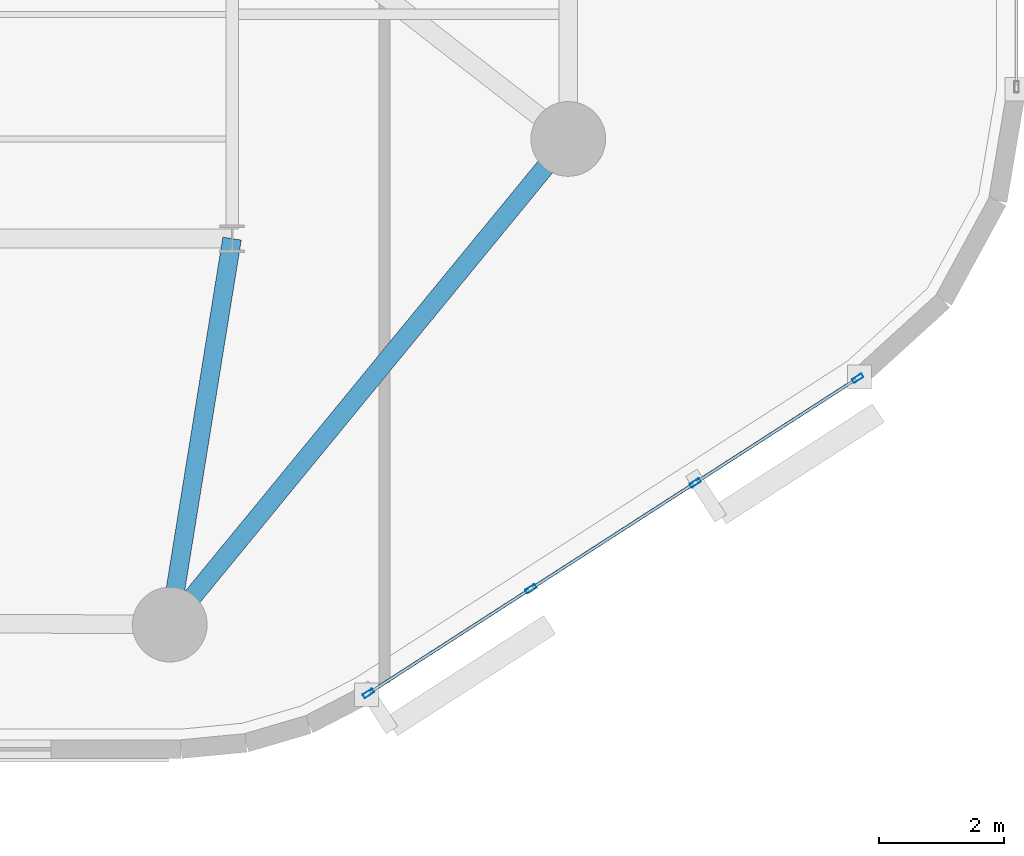
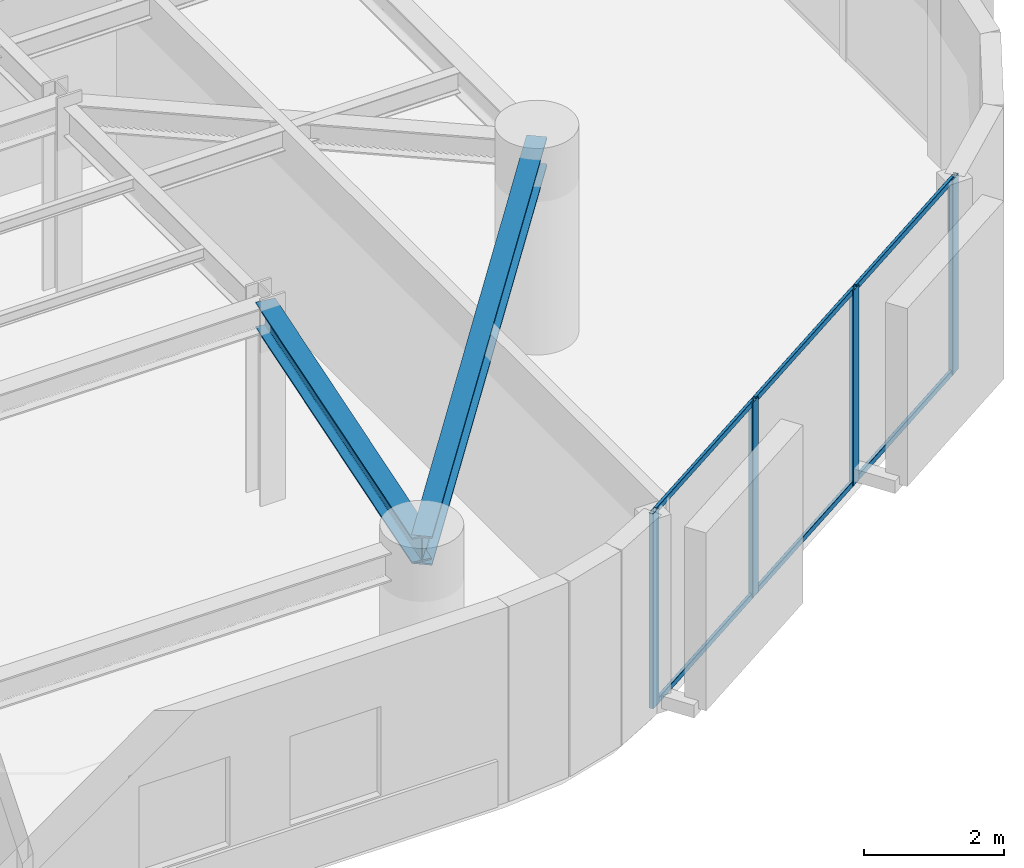
# One storey, part 2 of 14: 10 members, 2 beams, 1 element without a shape of its own.
"""IFC4 building model written with IfcOpenShell, lengths in metres."""

from ifc_helpers import new_model, si_unit, direction, frame, origin, origin_2d, place, context, subcontext, project, spatial, hollow_rectangle, i_section, extrude, material, layer, layer_set, material_profile, profile_set, type_object, element, aggregate, save


model = new_model("IFC4")

# Units and contexts
model_context = context("Model", 3, precision=1e-05, world=origin(), true_north=direction((0.0, 1.0)))
body_context = subcontext(model_context, "Body", "Model", "MODEL_VIEW")
ifc_project = project(units=[si_unit("LENGTHUNIT", "METRE"), si_unit("AREAUNIT", "SQUARE_METRE"), si_unit("VOLUMEUNIT", "CUBIC_METRE"), si_unit("PLANEANGLEUNIT", "RADIAN"), si_unit("MASSUNIT", "GRAM", prefix="KILO")], contexts=[model_context])

# Site, building, storey
site_placement = place(None, origin())
site = spatial("IfcSite", under=ifc_project, at=site_placement, CompositionType="ELEMENT")
building_placement = place(site_placement, origin())
building = spatial("IfcBuilding", under=site, at=building_placement, Name="An Khanh Terracotta Commons", CompositionType="ELEMENT")
storey_placement = place(building_placement, frame((0.0, 0.0, 158.199951171875)))
storey = spatial("IfcBuildingStorey", under=building, at=storey_placement, Name="L41", CompositionType="ELEMENT", Elevation=158.199951171875)

# Beams
ifc_material_1 = material(Name="Steel S355J2", Category="steel")
ifc_material_profile_1 = material_profile(ifc_material_1, i_section(OverallWidth=0.300048828125, OverallDepth=0.449951171875, WebThickness=0.013916015625, FlangeThickness=0.02587890625, FilletRadius=0.027099609375, at=origin_2d()), Name="HEB450")
ifc_profile_set_1 = profile_set([ifc_material_profile_1], Name="Steel S355J2")
beam_type_1 = type_object("IfcBeamType", Name="BM-HEB450", PredefinedType="BEAM", material=ifc_profile_set_1)
beam_1_placement = place(storey_placement, frame((49.39990234375, 8.199951171875, 3.175048828125), z_axis=(0.159233661074, 0.987240923575, 0.0), x_axis=(-0.987240923575, 0.159233661074, 0.0)))
element("IfcBeam", 1, at=beam_1_placement, inside=storey, type_object=beam_type_1, Name="L41 Mega-Column Tie Girder 2", PredefinedType="BEAM", context=body_context, shape_type="SweptSolid", body=[
    extrude(i_section(OverallWidth=0.300048828125, OverallDepth=0.449951171875, WebThickness=0.013916015625, FlangeThickness=0.02587890625, FilletRadius=0.027099609375, at=origin_2d()), origin(), (0.0, 0.0, 1.0), 6.280029296875),
])
ifc_material_profile_2 = material_profile(ifc_material_1, i_section(OverallWidth=0.300048828125, OverallDepth=0.5, WebThickness=0.014404296875, FlangeThickness=0.028076171875, FilletRadius=0.027099609375, at=origin_2d()), Name="HEB500")
ifc_profile_set_2 = profile_set([ifc_material_profile_2], Name="Steel S355J2")
beam_type_2 = type_object("IfcBeamType", Name="BM-HEB500", PredefinedType="BEAM", material=ifc_profile_set_2)
beam_2_placement = place(storey_placement, frame((49.39990234375, 8.199951171875, 3.150146484375), z_axis=(0.634322915223, 0.7730681983, 0.0), x_axis=(-0.7730681983, 0.634322915223, 0.0)))
element("IfcBeam", 2, at=beam_2_placement, inside=storey, type_object=beam_type_2, Name="L41 Perimeter Ring Spandrel 2", PredefinedType="BEAM", context=body_context, shape_type="SweptSolid", body=[
    extrude(i_section(OverallWidth=0.300048828125, OverallDepth=0.5, WebThickness=0.014404296875, FlangeThickness=0.028076171875, FilletRadius=0.027099609375, at=origin_2d()), origin(), (0.0, 0.0, 1.0), 10.08984375),
])

# Curtain wall, members
ifc_material_2 = material(Name="Anodised Aluminium 6063-T6", Category="aluminium")
ifc_layer = layer(ifc_material_2, 0.2099609375, Name="Anodised Aluminium 6063-T6")
ifc_layer_set = layer_set([ifc_layer], Name="Anodised Aluminium 6063-T6")
curtain_wall_type = type_object("IfcCurtainWallType", Name="CW-SYS-03", PredefinedType="USERDEFINED", material=ifc_layer_set)
curtain_wall_placement = place(storey_placement, origin())
curtain_wall = element("IfcCurtainWall", 3, at=curtain_wall_placement, inside=storey, type_object=curtain_wall_type, Name="L41 CW-03 Unitised Curtain Wall CW-L41-08", ObjectType="UNITISED CURTAIN WALL", PredefinedType="USERDEFINED")
ifc_material_profile_3 = material_profile(ifc_material_2, hollow_rectangle(XDim=0.070068359375, YDim=0.179931640625, WallThickness=0.00390625, InnerFilletRadius=0.00390625, OuterFilletRadius=0.008056640625, at=origin_2d()), Name="RHS180x70x4")
ifc_profile_set_3 = profile_set([ifc_material_profile_3], Name="Anodised Aluminium 6063-T6")
member_type_1 = type_object("IfcMemberType", Name="CWM-RHS180x70x4", PredefinedType="MULLION", material=ifc_profile_set_3)
member_1_placement = place(storey_placement, frame((52.58935546875, 7.094970703125, 0.0), z_axis=(0.0, 0.0, 1.0), x_axis=(-0.541497931062, 0.840702081986, 0.0)))
member_1 = element("IfcMember", 4, at=member_1_placement, type_object=member_type_1, Name="CW-03 mullion 1", PredefinedType="MULLION", context=body_context, shape_type="SweptSolid", body=[
    extrude(hollow_rectangle(XDim=0.070068359375, YDim=0.179931640625, WallThickness=0.00390625, InnerFilletRadius=0.00390625, OuterFilletRadius=0.008056640625, at=origin_2d()), origin(), (0.0, 0.0, 1.0), 3.400146484375),
])
member_2_placement = place(storey_placement, frame((55.19921875, 8.77587890625, 0.0), z_axis=(0.0, 0.0, 1.0), x_axis=(-0.541497931062, 0.840702081986, 0.0)))
member_2 = element("IfcMember", 5, at=member_2_placement, type_object=member_type_1, Name="CW-03 mullion 2", PredefinedType="MULLION", context=body_context, shape_type="SweptSolid", body=[
    extrude(hollow_rectangle(XDim=0.070068359375, YDim=0.179931640625, WallThickness=0.00390625, InnerFilletRadius=0.00390625, OuterFilletRadius=0.008056640625, at=origin_2d()), origin(), (0.0, 0.0, 1.0), 3.400146484375),
])
member_3_placement = place(storey_placement, frame((57.838623046875, 10.47607421875, 0.0), z_axis=(0.0, 0.0, 1.0), x_axis=(-0.541497931062, 0.840702081986, 0.0)))
member_3 = element("IfcMember", 6, at=member_3_placement, type_object=member_type_1, Name="CW-03 mullion 3", PredefinedType="MULLION", context=body_context, shape_type="SweptSolid", body=[
    extrude(hollow_rectangle(XDim=0.070068359375, YDim=0.179931640625, WallThickness=0.00390625, InnerFilletRadius=0.00390625, OuterFilletRadius=0.008056640625, at=origin_2d()), origin(), (0.0, 0.0, 1.0), 3.400146484375),
])
member_4_placement = place(storey_placement, frame((60.448486328125, 12.156982421875, 0.0), z_axis=(0.0, 0.0, 1.0), x_axis=(-0.541497931062, 0.840702081986, 0.0)))
member_4 = element("IfcMember", 7, at=member_4_placement, type_object=member_type_1, Name="CW-03 mullion 4", PredefinedType="MULLION", context=body_context, shape_type="SweptSolid", body=[
    extrude(hollow_rectangle(XDim=0.070068359375, YDim=0.179931640625, WallThickness=0.00390625, InnerFilletRadius=0.00390625, OuterFilletRadius=0.008056640625, at=origin_2d()), origin(), (0.0, 0.0, 1.0), 3.400146484375),
])
ifc_material_profile_4 = material_profile(ifc_material_2, hollow_rectangle(XDim=0.050048828125, YDim=0.10009765625, WallThickness=0.003173828125, InnerFilletRadius=0.003173828125, OuterFilletRadius=0.00634765625, at=origin_2d()), Name="RHS100x50x3.2")
ifc_profile_set_4 = profile_set([ifc_material_profile_4], Name="Anodised Aluminium 6063-T6")
member_type_2 = type_object("IfcMemberType", Name="CWT-RHS100x50x3.2", PredefinedType="USERDEFINED", material=ifc_profile_set_4)
member_5_placement = place(storey_placement, frame((52.618896484375, 7.114013671875, 0.025146484375), z_axis=(0.840710223453, 0.541485290826, 0.0), x_axis=(-0.541485290826, 0.840710223453, 0.0)))
member_5 = element("IfcMember", 8, at=member_5_placement, type_object=member_type_2, Name="CW-03 transom 1.1", ObjectType="TRANSOM", PredefinedType="USERDEFINED", context=body_context, shape_type="SweptSolid", body=[
    extrude(hollow_rectangle(XDim=0.050048828125, YDim=0.10009765625, WallThickness=0.003173828125, InnerFilletRadius=0.003173828125, OuterFilletRadius=0.00634765625, at=origin_2d()), origin(), (0.0, 0.0, 1.0), 3.034423828125),
])
member_6_placement = place(storey_placement, frame((52.618896484375, 7.114013671875, 3.375), z_axis=(0.840710223453, 0.541485290826, 0.0), x_axis=(-0.541485290826, 0.840710223453, 0.0)))
member_6 = element("IfcMember", 9, at=member_6_placement, type_object=member_type_2, Name="CW-03 transom 1.2", ObjectType="TRANSOM", PredefinedType="USERDEFINED", context=body_context, shape_type="SweptSolid", body=[
    extrude(hollow_rectangle(XDim=0.050048828125, YDim=0.10009765625, WallThickness=0.003173828125, InnerFilletRadius=0.003173828125, OuterFilletRadius=0.00634765625, at=origin_2d()), origin(), (0.0, 0.0, 1.0), 3.034423828125),
])
member_7_placement = place(storey_placement, frame((55.228759765625, 8.794921875, 0.025146484375), z_axis=(0.840707825526, 0.54148901383, 0.0), x_axis=(-0.54148901383, 0.840707825526, 0.0)))
member_7 = element("IfcMember", 10, at=member_7_placement, type_object=member_type_2, Name="CW-03 transom 2.1", ObjectType="TRANSOM", PredefinedType="USERDEFINED", context=body_context, shape_type="SweptSolid", body=[
    extrude(hollow_rectangle(XDim=0.050048828125, YDim=0.10009765625, WallThickness=0.003173828125, InnerFilletRadius=0.003173828125, OuterFilletRadius=0.00634765625, at=origin_2d()), origin(), (0.0, 0.0, 1.0), 3.069580078125),
])
member_8_placement = place(storey_placement, frame((55.228759765625, 8.794921875, 3.375), z_axis=(0.840707825526, 0.54148901383, 0.0), x_axis=(-0.54148901383, 0.840707825526, 0.0)))
member_8 = element("IfcMember", 11, at=member_8_placement, type_object=member_type_2, Name="CW-03 transom 2.2", ObjectType="TRANSOM", PredefinedType="USERDEFINED", context=body_context, shape_type="SweptSolid", body=[
    extrude(hollow_rectangle(XDim=0.050048828125, YDim=0.10009765625, WallThickness=0.003173828125, InnerFilletRadius=0.003173828125, OuterFilletRadius=0.00634765625, at=origin_2d()), origin(), (0.0, 0.0, 1.0), 3.069580078125),
])
member_9_placement = place(storey_placement, frame((57.8681640625, 10.494873046875, 0.025146484375), z_axis=(0.840673595852, 0.541542154626, 0.0), x_axis=(-0.541542154626, 0.840673595852, 0.0)))
member_9 = element("IfcMember", 12, at=member_9_placement, type_object=member_type_2, Name="CW-03 transom 3.1", ObjectType="TRANSOM", PredefinedType="USERDEFINED", context=body_context, shape_type="SweptSolid", body=[
    extrude(hollow_rectangle(XDim=0.050048828125, YDim=0.10009765625, WallThickness=0.003173828125, InnerFilletRadius=0.003173828125, OuterFilletRadius=0.00634765625, at=origin_2d()), origin(), (0.0, 0.0, 1.0), 3.034423828125),
])
member_10_placement = place(storey_placement, frame((57.8681640625, 10.494873046875, 3.375), z_axis=(0.840673595852, 0.541542154626, 0.0), x_axis=(-0.541542154626, 0.840673595852, 0.0)))
member_10 = element("IfcMember", 13, at=member_10_placement, type_object=member_type_2, Name="CW-03 transom 3.2", ObjectType="TRANSOM", PredefinedType="USERDEFINED", context=body_context, shape_type="SweptSolid", body=[
    extrude(hollow_rectangle(XDim=0.050048828125, YDim=0.10009765625, WallThickness=0.003173828125, InnerFilletRadius=0.003173828125, OuterFilletRadius=0.00634765625, at=origin_2d()), origin(), (0.0, 0.0, 1.0), 3.034423828125),
])
aggregate(curtain_wall, [member_1, member_2, member_3, member_4, member_5, member_6, member_7, member_8, member_9, member_10])

save(model, "model.ifc")
